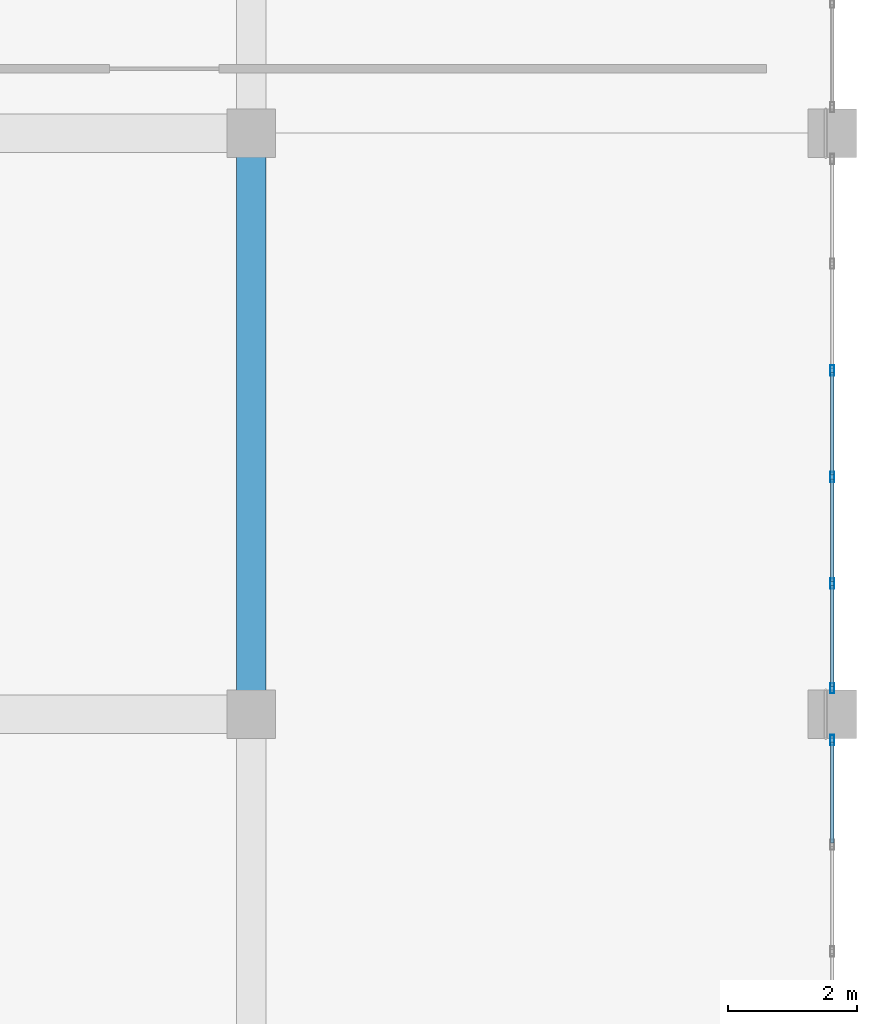
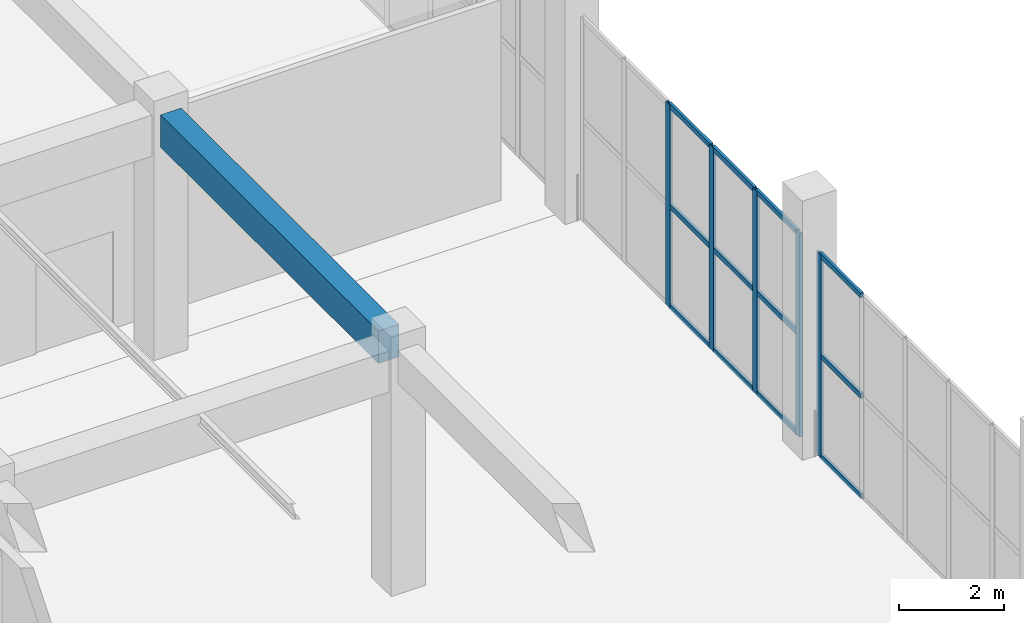
# One storey, part 70 of 223: 17 members, 1 beam, 2 elements without a shape of their own.
"""IFC4 building model written with IfcOpenShell, lengths in metres."""

from ifc_helpers import new_model, si_unit, direction, frame, origin, origin_2d, place, context, subcontext, project, spatial, rectangle, hollow_rectangle, extrude, material, layer, layer_set, material_profile, profile_set, type_object, element, aggregate, save


model = new_model("IFC4")

# Units and contexts
model_context = context("Model", 3, precision=1e-05, world=origin(), true_north=direction((0.0, 1.0)))
body_context = subcontext(model_context, "Body", "Model", "MODEL_VIEW")
ifc_project = project(units=[si_unit("LENGTHUNIT", "METRE"), si_unit("AREAUNIT", "SQUARE_METRE"), si_unit("VOLUMEUNIT", "CUBIC_METRE"), si_unit("PLANEANGLEUNIT", "RADIAN"), si_unit("MASSUNIT", "GRAM", prefix="KILO")], contexts=[model_context])

# Site, building, storey
site_placement = place(None, origin())
site = spatial("IfcSite", under=ifc_project, at=site_placement, CompositionType="ELEMENT")
building_placement = place(site_placement, origin())
building = spatial("IfcBuilding", under=site, at=building_placement, Name="Dornveld Trade and Exhibition Forum", CompositionType="ELEMENT")
storey_placement = place(building_placement, frame((0.0, 0.0, 6.0)))
storey = spatial("IfcBuildingStorey", under=building, at=storey_placement, Name="L01", CompositionType="ELEMENT", Elevation=6.0)

# Beam
ifc_material_1 = material(Name="Precast concrete C50/60", Category="concrete")
ifc_material_profile_1 = material_profile(ifc_material_1, rectangle(XDim=0.449951171875, YDim=0.75, at=origin_2d()), Name="PC-BM 450x750")
ifc_profile_set_1 = profile_set([ifc_material_profile_1], Name="Precast concrete C50/60")
beam_type = type_object("IfcBeamType", Name="BM-PC-450x750", PredefinedType="BEAM", material=ifc_profile_set_1)
beam_placement = place(storey_placement, frame((225.0, 18.37109375, 5.264892578125), z_axis=(0.0, 1.0, 0.0), x_axis=(-1.0, 0.0, 0.0)))
element("IfcBeam", 1, at=beam_placement, inside=storey, type_object=beam_type, Name="L01 Y-girder 1315", PredefinedType="BEAM", context=body_context, shape_type="SweptSolid", body=[
    extrude(rectangle(XDim=0.449951171875, YDim=0.75, at=origin_2d()), origin(), (0.0, 0.0, 1.0), 8.2578125),
])

# Curtain wall, member
ifc_material_2 = material(Name="Dark-bronze anodised aluminium and low-E glass", Category="aluminium")
ifc_layer_1 = layer(ifc_material_2, 0.193115234375)
ifc_layer_set_1 = layer_set([ifc_layer_1], Name="Dark-bronze anodised aluminium and low-E glass")
curtain_wall_type_1 = type_object("IfcCurtainWallType", Name="CW-SYS-17", PredefinedType="USERDEFINED", material=ifc_layer_set_1)
curtain_wall_1_placement = place(storey_placement, origin())
curtain_wall_1 = element("IfcCurtainWall", 2, at=curtain_wall_1_placement, inside=storey, type_object=curtain_wall_type_1, Name="L01 unitised curtain wall 71", ObjectType="UNITISED_CURTAIN_WALL", PredefinedType="USERDEFINED")
ifc_material_3 = material(Name="Dark-bronze anodised aluminium", Category="aluminium")
ifc_material_profile_2 = material_profile(ifc_material_3, hollow_rectangle(XDim=0.06005859375, YDim=0.159912109375, WallThickness=0.00390625, at=origin_2d()), Name="RHS 160x60x4")
ifc_profile_set_2 = profile_set([ifc_material_profile_2], Name="Dark-bronze anodised aluminium")
member_type_1 = type_object("IfcMemberType", Name="CW-MUL-160", PredefinedType="MULLION", material=ifc_profile_set_2)
member_1_placement = place(storey_placement, frame((234.0, 17.59912109375, -0.00390625), z_axis=(0.0, 0.0, 1.0), x_axis=(-1.0, 0.0, 0.0)))
member_1 = element("IfcMember", 3, at=member_1_placement, type_object=member_type_1, Name="CW-17 mullion 6", PredefinedType="MULLION", context=body_context, shape_type="SweptSolid", body=[
    extrude(hollow_rectangle(XDim=0.06005859375, YDim=0.159912109375, WallThickness=0.00390625, at=origin_2d()), origin(), (0.0, 0.0, 1.0), 4.703857421875),
])

# Curtain wall, members
ifc_material_4 = material(Name="Dark-bronze anodised aluminium and low-E glass", Category="aluminium")
ifc_layer_2 = layer(ifc_material_4, 0.196044921875)
ifc_layer_set_2 = layer_set([ifc_layer_2], Name="Dark-bronze anodised aluminium and low-E glass")
curtain_wall_type_2 = type_object("IfcCurtainWallType", Name="CW-SYS-18", PredefinedType="USERDEFINED", material=ifc_layer_set_2)
curtain_wall_2_placement = place(storey_placement, origin())
curtain_wall_2 = element("IfcCurtainWall", 4, at=curtain_wall_2_placement, inside=storey, type_object=curtain_wall_type_2, Name="L01 unitised curtain wall 72", ObjectType="UNITISED_CURTAIN_WALL", PredefinedType="USERDEFINED")
member_2_placement = place(storey_placement, frame((234.0, 18.40087890625, -0.00390625), z_axis=(0.0, 0.0, 1.0), x_axis=(-1.0, 0.0, 0.0)))
member_2 = element("IfcMember", 5, at=member_2_placement, type_object=member_type_1, Name="CW-18 mullion 1", PredefinedType="MULLION", context=body_context, shape_type="SweptSolid", body=[
    extrude(hollow_rectangle(XDim=0.06005859375, YDim=0.159912109375, WallThickness=0.00390625, at=origin_2d()), origin(), (0.0, 0.0, 1.0), 4.703857421875),
])
member_3_placement = place(storey_placement, frame((234.0, 20.022705078125, -0.00390625), z_axis=(0.0, 0.0, 1.0), x_axis=(-1.0, 0.0, 0.0)))
member_3 = element("IfcMember", 6, at=member_3_placement, type_object=member_type_1, Name="CW-18 mullion 2", PredefinedType="MULLION", context=body_context, shape_type="SweptSolid", body=[
    extrude(hollow_rectangle(XDim=0.06005859375, YDim=0.159912109375, WallThickness=0.00390625, at=origin_2d()), origin(), (0.0, 0.0, 1.0), 4.703857421875),
])
member_4_placement = place(storey_placement, frame((234.0, 21.67431640625, -0.00390625), z_axis=(0.0, 0.0, 1.0), x_axis=(-1.0, 0.0, 0.0)))
member_4 = element("IfcMember", 7, at=member_4_placement, type_object=member_type_1, Name="CW-18 mullion 3", PredefinedType="MULLION", context=body_context, shape_type="SweptSolid", body=[
    extrude(hollow_rectangle(XDim=0.06005859375, YDim=0.159912109375, WallThickness=0.00390625, at=origin_2d()), origin(), (0.0, 0.0, 1.0), 4.703857421875),
])
member_5_placement = place(storey_placement, frame((234.0, 23.32568359375, -0.00390625), z_axis=(0.0, 0.0, 1.0), x_axis=(-1.0, 0.0, 0.0)))
member_5 = element("IfcMember", 8, at=member_5_placement, type_object=member_type_1, Name="CW-18 mullion 4", PredefinedType="MULLION", context=body_context, shape_type="SweptSolid", body=[
    extrude(hollow_rectangle(XDim=0.06005859375, YDim=0.159912109375, WallThickness=0.00390625, at=origin_2d()), origin(), (0.0, 0.0, 1.0), 4.703857421875),
])

# Member
ifc_material_5 = material(Name="Dark-bronze anodised aluminium", Category="aluminium")
ifc_material_profile_3 = material_profile(ifc_material_5, hollow_rectangle(XDim=0.06005859375, YDim=0.1201171875, WallThickness=0.00390625, at=origin_2d()), Name="RHS 120x60x4")
ifc_profile_set_3 = profile_set([ifc_material_profile_3], Name="Dark-bronze anodised aluminium")
member_type_2 = type_object("IfcMemberType", Name="CW-TRN-120", PredefinedType="USERDEFINED", material=ifc_profile_set_3)
member_6_placement = place(storey_placement, frame((234.0, 16.00732421875, 0.02587890625), z_axis=(0.0, 1.0, 0.0), x_axis=(-1.0, 0.0, 0.0)))
member_6 = element("IfcMember", 9, at=member_6_placement, type_object=member_type_2, Name="CW-17 transom 5.1", ObjectType="TRANSOM", PredefinedType="USERDEFINED", context=body_context, shape_type="SweptSolid", body=[
    extrude(hollow_rectangle(XDim=0.06005859375, YDim=0.1201171875, WallThickness=0.00390625, at=origin_2d()), origin(), (0.0, 0.0, 1.0), 1.561767578125),
])

member_7_placement = place(storey_placement, frame((234.0, 16.00732421875, 2.347900390625), z_axis=(0.0, 1.0, 0.0), x_axis=(-1.0, 0.0, 0.0)))
member_7 = element("IfcMember", 10, at=member_7_placement, type_object=member_type_2, Name="CW-17 transom 5.2", ObjectType="TRANSOM", PredefinedType="USERDEFINED", context=body_context, shape_type="SweptSolid", body=[
    extrude(hollow_rectangle(XDim=0.06005859375, YDim=0.1201171875, WallThickness=0.00390625, at=origin_2d()), origin(), (0.0, 0.0, 1.0), 1.561767578125),
])

member_8_placement = place(storey_placement, frame((234.0, 16.00732421875, 4.669921875), z_axis=(0.0, 1.0, 0.0), x_axis=(-1.0, 0.0, 0.0)))
member_8 = element("IfcMember", 11, at=member_8_placement, type_object=member_type_2, Name="CW-17 transom 5.3", ObjectType="TRANSOM", PredefinedType="USERDEFINED", context=body_context, shape_type="SweptSolid", body=[
    extrude(hollow_rectangle(XDim=0.06005859375, YDim=0.1201171875, WallThickness=0.00390625, at=origin_2d()), origin(), (0.0, 0.0, 1.0), 1.561767578125),
])

aggregate(curtain_wall_1, [member_1, member_6, member_7, member_8])

member_9_placement = place(storey_placement, frame((234.0, 18.430908203125, 0.02587890625), z_axis=(0.0, 1.0, 0.0), x_axis=(-1.0, 0.0, 0.0)))
member_9 = element("IfcMember", 12, at=member_9_placement, type_object=member_type_2, Name="CW-18 transom 1.1", ObjectType="TRANSOM", PredefinedType="USERDEFINED", context=body_context, shape_type="SweptSolid", body=[
    extrude(hollow_rectangle(XDim=0.06005859375, YDim=0.1201171875, WallThickness=0.00390625, at=origin_2d()), origin(), (0.0, 0.0, 1.0), 1.561767578125),
])

member_10_placement = place(storey_placement, frame((234.0, 18.430908203125, 2.347900390625), z_axis=(0.0, 1.0, 0.0), x_axis=(-1.0, 0.0, 0.0)))
member_10 = element("IfcMember", 13, at=member_10_placement, type_object=member_type_2, Name="CW-18 transom 1.2", ObjectType="TRANSOM", PredefinedType="USERDEFINED", context=body_context, shape_type="SweptSolid", body=[
    extrude(hollow_rectangle(XDim=0.06005859375, YDim=0.1201171875, WallThickness=0.00390625, at=origin_2d()), origin(), (0.0, 0.0, 1.0), 1.561767578125),
])

member_11_placement = place(storey_placement, frame((234.0, 18.430908203125, 4.669921875), z_axis=(0.0, 1.0, 0.0), x_axis=(-1.0, 0.0, 0.0)))
member_11 = element("IfcMember", 14, at=member_11_placement, type_object=member_type_2, Name="CW-18 transom 1.3", ObjectType="TRANSOM", PredefinedType="USERDEFINED", context=body_context, shape_type="SweptSolid", body=[
    extrude(hollow_rectangle(XDim=0.06005859375, YDim=0.1201171875, WallThickness=0.00390625, at=origin_2d()), origin(), (0.0, 0.0, 1.0), 1.561767578125),
])

member_12_placement = place(storey_placement, frame((234.0, 20.052490234375, 0.02587890625), z_axis=(0.0, 1.0, 0.0), x_axis=(-1.0, 0.0, 0.0)))
member_12 = element("IfcMember", 15, at=member_12_placement, type_object=member_type_2, Name="CW-18 transom 2.1", ObjectType="TRANSOM", PredefinedType="USERDEFINED", context=body_context, shape_type="SweptSolid", body=[
    extrude(hollow_rectangle(XDim=0.06005859375, YDim=0.1201171875, WallThickness=0.00390625, at=origin_2d()), origin(), (0.0, 0.0, 1.0), 1.591796875),
])

member_13_placement = place(storey_placement, frame((234.0, 20.052490234375, 2.347900390625), z_axis=(0.0, 1.0, 0.0), x_axis=(-1.0, 0.0, 0.0)))
member_13 = element("IfcMember", 16, at=member_13_placement, type_object=member_type_2, Name="CW-18 transom 2.2", ObjectType="TRANSOM", PredefinedType="USERDEFINED", context=body_context, shape_type="SweptSolid", body=[
    extrude(hollow_rectangle(XDim=0.06005859375, YDim=0.1201171875, WallThickness=0.00390625, at=origin_2d()), origin(), (0.0, 0.0, 1.0), 1.591796875),
])

member_14_placement = place(storey_placement, frame((234.0, 20.052490234375, 4.669921875), z_axis=(0.0, 1.0, 0.0), x_axis=(-1.0, 0.0, 0.0)))
member_14 = element("IfcMember", 17, at=member_14_placement, type_object=member_type_2, Name="CW-18 transom 2.3", ObjectType="TRANSOM", PredefinedType="USERDEFINED", context=body_context, shape_type="SweptSolid", body=[
    extrude(hollow_rectangle(XDim=0.06005859375, YDim=0.1201171875, WallThickness=0.00390625, at=origin_2d()), origin(), (0.0, 0.0, 1.0), 1.591796875),
])

member_15_placement = place(storey_placement, frame((234.0, 21.7041015625, 0.02587890625), z_axis=(0.0, 1.0, 0.0), x_axis=(-1.0, 0.0, 0.0)))
member_15 = element("IfcMember", 18, at=member_15_placement, type_object=member_type_2, Name="CW-18 transom 3.1", ObjectType="TRANSOM", PredefinedType="USERDEFINED", context=body_context, shape_type="SweptSolid", body=[
    extrude(hollow_rectangle(XDim=0.06005859375, YDim=0.1201171875, WallThickness=0.00390625, at=origin_2d()), origin(), (0.0, 0.0, 1.0), 1.591796875),
])

member_16_placement = place(storey_placement, frame((234.0, 21.7041015625, 2.347900390625), z_axis=(0.0, 1.0, 0.0), x_axis=(-1.0, 0.0, 0.0)))
member_16 = element("IfcMember", 19, at=member_16_placement, type_object=member_type_2, Name="CW-18 transom 3.2", ObjectType="TRANSOM", PredefinedType="USERDEFINED", context=body_context, shape_type="SweptSolid", body=[
    extrude(hollow_rectangle(XDim=0.06005859375, YDim=0.1201171875, WallThickness=0.00390625, at=origin_2d()), origin(), (0.0, 0.0, 1.0), 1.591796875),
])

member_17_placement = place(storey_placement, frame((234.0, 21.7041015625, 4.669921875), z_axis=(0.0, 1.0, 0.0), x_axis=(-1.0, 0.0, 0.0)))
member_17 = element("IfcMember", 20, at=member_17_placement, type_object=member_type_2, Name="CW-18 transom 3.3", ObjectType="TRANSOM", PredefinedType="USERDEFINED", context=body_context, shape_type="SweptSolid", body=[
    extrude(hollow_rectangle(XDim=0.06005859375, YDim=0.1201171875, WallThickness=0.00390625, at=origin_2d()), origin(), (0.0, 0.0, 1.0), 1.591796875),
])

aggregate(curtain_wall_2, [member_2, member_3, member_4, member_5, member_9, member_10, member_11, member_12, member_13, member_14, member_15, member_16, member_17])

save(model, "model.ifc")
